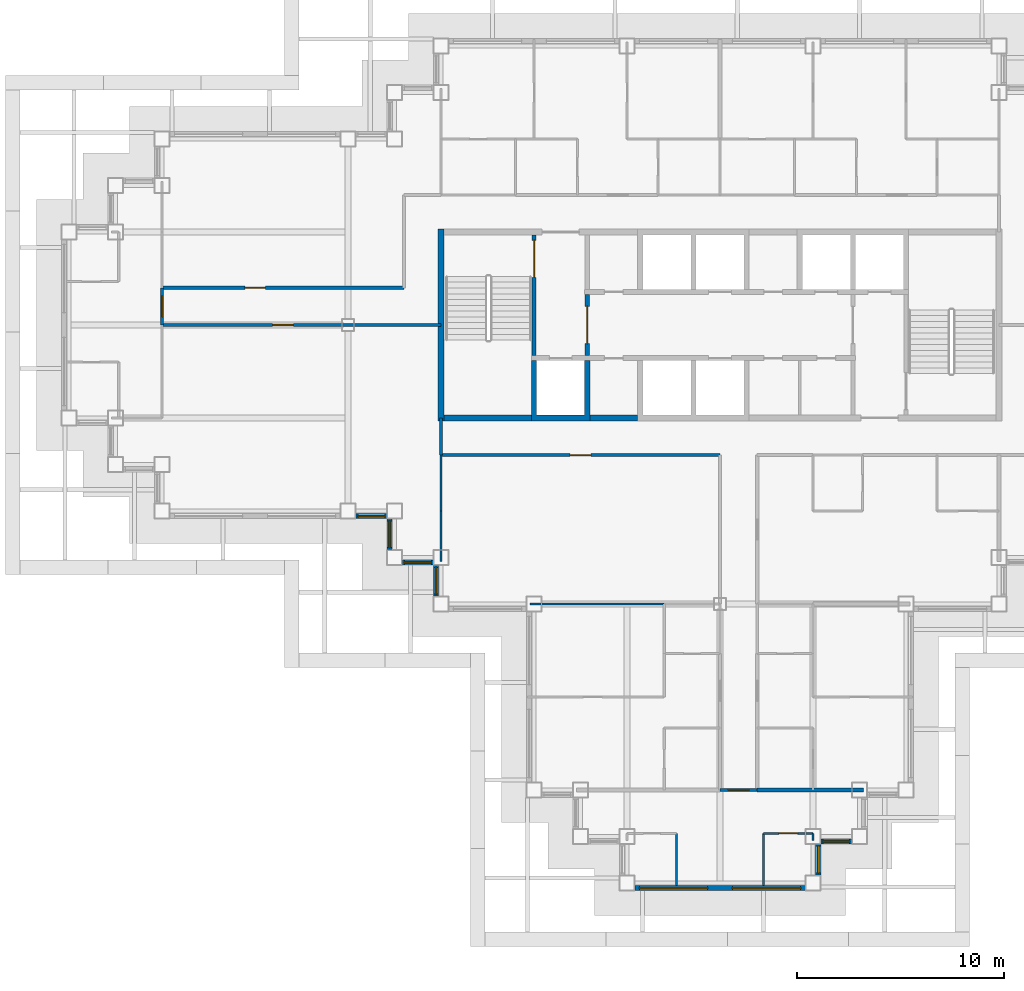
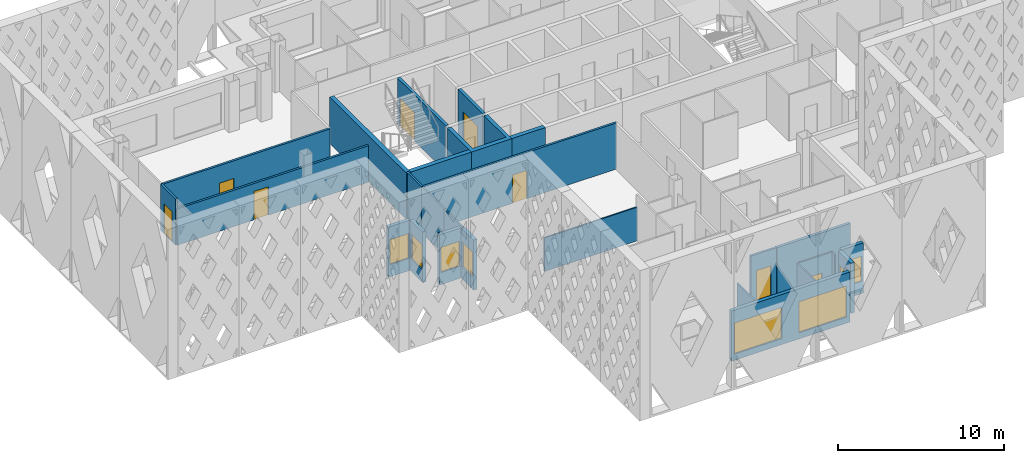
# One storey, part 4 of 18: 27 walls, 8 doors, 8 windows, 16 openings.
"""IFC4 building model written with IfcOpenShell, lengths in metres."""

from ifc_helpers import new_model, si_unit, direction, frame, frame_2d, origin, place, context, subcontext, project, spatial, polyline, rectangle, outline, extrude, material, layer, layer_set, type_object, element, fill, save


model = new_model("IFC4")

# Units and contexts
model_context = context("Model", 3, precision=1e-05, world=origin(), true_north=direction((0.0, 1.0)))
body_context = subcontext(model_context, "Body", "Model", "MODEL_VIEW")
ifc_project = project(units=[si_unit("LENGTHUNIT", "METRE"), si_unit("AREAUNIT", "SQUARE_METRE"), si_unit("VOLUMEUNIT", "CUBIC_METRE"), si_unit("PLANEANGLEUNIT", "RADIAN"), si_unit("MASSUNIT", "GRAM", prefix="KILO")], contexts=[model_context])

# Site, building, storey
site_placement = place(None, origin())
site = spatial("IfcSite", under=ifc_project, at=site_placement, CompositionType="ELEMENT")
building_placement = place(site_placement, origin())
building = spatial("IfcBuilding", under=site, at=building_placement, Name="Caravel Reach Hotel and Residences", CompositionType="ELEMENT")
storey_placement = place(building_placement, frame((0.0, 0.0, 176.5)))
storey = spatial("IfcBuildingStorey", under=building, at=storey_placement, Name="L44", CompositionType="ELEMENT", Elevation=176.5)

# Walls
ifc_material_1 = material(Name="Gypsum board on steel stud", Category="steel")
ifc_layer_1 = layer(ifc_material_1, 0.10009765625)
ifc_layer_set_1 = layer_set([ifc_layer_1], Name="Bathroom pod wall 100 mm")
wall_type_1 = type_object("IfcWallType", Name="Bathroom pod wall 100 mm", PredefinedType="PARTITIONING", material=ifc_layer_set_1)
wall_1_placement = place(storey_placement, frame((29.39990234375, -0.125, 0.0), z_axis=(0.0, 0.0, 1.0), x_axis=(0.0, 1.0, 0.0)))
element("IfcWall", 1, at=wall_1_placement, inside=storey, type_object=wall_type_1, Name="L44 wall w112", PredefinedType="PARTITIONING", context=body_context, shape_type="SweptSolid", body=[
    extrude(rectangle(XDim=2.52490234375, YDim=0.10009765625, at=frame_2d((1.262451171875, 0.0))), origin(), (0.0, 0.0, 1.0), 3.39990234375),
])
ifc_material_2 = material(Name="Concrete C60", Category="concrete")
ifc_layer_2 = layer(ifc_material_2, 0.300048828125)
ifc_layer_set_2 = layer_set([ifc_layer_2], Name="Core wall 300 mm EI 120")
wall_type_2 = type_object("IfcWallType", Name="Core wall 300 mm EI 120", PredefinedType="SHEAR", material=ifc_layer_set_2)
wall_2_placement = place(storey_placement, frame((18.14990234375, 22.5, 0.0), z_axis=(0.0, 0.0, 1.0), x_axis=(1.0, 0.0, 0.0)))
element("IfcWall", 2, at=wall_2_placement, inside=storey, type_object=wall_type_2, Name="L44 core wall S1", PredefinedType="SHEAR", context=body_context, shape_type="SweptSolid", body=[
    extrude(rectangle(XDim=4.22509765625, YDim=0.300048828125, at=frame_2d((2.112548828125, 0.0))), origin(), (0.0, 0.0, 1.0), 3.39990234375),
])
wall_3_placement = place(storey_placement, frame((25.196533203125, 22.5, 0.0), z_axis=(0.0, 0.0, 1.0), x_axis=(1.0, 0.0, 0.0)))
element("IfcWall", 3, at=wall_3_placement, inside=storey, type_object=wall_type_2, Name="L44 core wall S2", PredefinedType="SHEAR", context=body_context, shape_type="SweptSolid", body=[
    extrude(rectangle(XDim=2.3212890625, YDim=0.300048828125, at=frame_2d((1.16064453125, 0.0))), origin(), (0.0, 0.0, 1.0), 3.39990234375),
])
wall_4_placement = place(storey_placement, frame((18.0, 22.35009765625, 0.0), z_axis=(0.0, 0.0, 1.0), x_axis=(0.0, 1.0, 0.0)))
element("IfcWall", 4, at=wall_4_placement, inside=storey, type_object=wall_type_2, Name="L44 core wall W", PredefinedType="SHEAR", context=body_context, shape_type="SweptSolid", body=[
    extrude(rectangle(XDim=9.2998046875, YDim=0.300048828125, at=frame_2d((4.64990234375, 0.0))), origin(), (0.0, 0.0, 1.0), 3.39990234375),
])

# Wall, opening, door
ifc_material_3 = material(Name="Gypsum board on steel stud, fire-rated", Category="steel")
ifc_layer_3 = layer(ifc_material_3, 0.14990234375)
ifc_layer_set_3 = layer_set([ifc_layer_3], Name="Corridor wall 150 mm EI 60")
wall_type_3 = type_object("IfcWallType", Name="Corridor wall 150 mm EI 60", PredefinedType="PARTITIONING", material=ifc_layer_set_3)
wall_5_placement = place(storey_placement, frame((18.0, 20.699951171875, 0.0), z_axis=(0.0, 0.0, 1.0), x_axis=(1.0, 0.0, 0.0)))
wall_5 = element("IfcWall", 5, at=wall_5_placement, inside=storey, type_object=wall_type_3, Name="L44 wall w005", PredefinedType="PARTITIONING", context=body_context, shape_type="SweptSolid", body=[
    extrude(rectangle(XDim=13.5, YDim=0.14990234375, at=frame_2d((6.75, 0.0))), origin(), (0.0, 0.0, 1.0), 3.39990234375),
])
opening_1_placement = place(wall_5_placement, frame((6.25, 0.0, 0.0)))
opening_1 = element("IfcOpeningElement", 6, at=opening_1_placement, cuts=wall_5, Name="Opening D44-036", PredefinedType="OPENING", context=body_context, shape_type="SweptSolid", body=[
    extrude(rectangle(XDim=1.0, YDim=2.10009765625, at=frame_2d((0.5, 1.050048828125))), frame((0.0, 0.0849609375, 0.0), z_axis=(0.0, -1.0, 0.0), x_axis=(1.0, 0.0, 0.0)), (0.0, 0.0, 1.0), 0.169921875),
])
ifc_material_4 = material(Name="Steel fire door leaf", Category="steel")
door_type_1 = type_object("IfcDoorType", Name="Fire door 1000 x 2100 EI 60", OperationType="SINGLE_SWING_LEFT", PredefinedType="DOOR", material=ifc_material_4)
door_1_placement = place(opening_1_placement, origin())
door_1 = element("IfcDoor", 7, at=door_1_placement, inside=storey, type_object=door_type_1, Name="door D44-036", OperationType="SINGLE_SWING_LEFT", OverallHeight=2.10009765625, OverallWidth=1.0, PredefinedType="DOOR", context=body_context, shape_type="SweptSolid", body=[
    extrude(rectangle(XDim=1.0, YDim=2.10009765625, at=frame_2d((0.5, 1.050048828125))), frame((0.0, 0.02490234375, 0.0), z_axis=(0.0, -1.0, 0.0), x_axis=(1.0, 0.0, 0.0)), (0.0, 0.0, 1.0), 0.050048828125),
])
fill(opening_1, door_1)

wall_6_placement = place(storey_placement, frame((4.5, 27.0, 0.0), z_axis=(0.0, 0.0, 1.0), x_axis=(1.0, 0.0, 0.0)))
wall_6 = element("IfcWall", 8, at=wall_6_placement, inside=storey, type_object=wall_type_3, Name="L44 wall w009", PredefinedType="PARTITIONING", context=body_context, shape_type="SweptSolid", body=[
    extrude(rectangle(XDim=13.5, YDim=0.14990234375, at=frame_2d((6.75, 0.0))), origin(), (0.0, 0.0, 1.0), 2.679931640625),
])
opening_2_placement = place(wall_6_placement, frame((5.35009765625, 0.0, 0.0)))
opening_2 = element("IfcOpeningElement", 9, at=opening_2_placement, cuts=wall_6, Name="Opening D44-030", PredefinedType="OPENING", context=body_context, shape_type="SweptSolid", body=[
    extrude(rectangle(XDim=1.0, YDim=2.10009765625, at=frame_2d((0.5, 1.050048828125))), frame((0.0, 0.0849609375, 0.0), z_axis=(0.0, -1.0, 0.0), x_axis=(1.0, 0.0, 0.0)), (0.0, 0.0, 1.0), 0.169921875),
])
door_2_placement = place(opening_2_placement, origin())
door_2 = element("IfcDoor", 10, at=door_2_placement, inside=storey, type_object=door_type_1, Name="door D44-030", OperationType="SINGLE_SWING_LEFT", OverallHeight=2.10009765625, OverallWidth=1.0, PredefinedType="DOOR", context=body_context, shape_type="SweptSolid", body=[
    extrude(rectangle(XDim=1.0, YDim=2.10009765625, at=frame_2d((0.5, 1.050048828125))), frame((0.0, 0.02490234375, 0.0), z_axis=(0.0, -1.0, 0.0), x_axis=(1.0, 0.0, 0.0)), (0.0, 0.0, 1.0), 0.050048828125),
])
fill(opening_2, door_2)

wall_7_placement = place(storey_placement, frame((4.5, 28.800048828125, 0.0), z_axis=(0.0, 0.0, 1.0), x_axis=(1.0, 0.0, 0.0)))
wall_7 = element("IfcWall", 11, at=wall_7_placement, inside=storey, type_object=wall_type_3, Name="L44 wall w011", PredefinedType="PARTITIONING", context=body_context, shape_type="SweptSolid", body=[
    extrude(rectangle(XDim=11.698974609375, YDim=0.14990234375, at=frame_2d((5.849609375, 0.0))), origin(), (0.0, 0.0, 1.0), 3.39990234375),
])
opening_3_placement = place(wall_7_placement, frame((4.0, 0.0, 0.0)))
opening_3 = element("IfcOpeningElement", 12, at=opening_3_placement, cuts=wall_7, Name="Opening D44-029", PredefinedType="OPENING", context=body_context, shape_type="SweptSolid", body=[
    extrude(rectangle(XDim=1.0, YDim=2.10009765625, at=frame_2d((0.5, 1.050048828125))), frame((0.0, 0.0849609375, 0.0), z_axis=(0.0, -1.0, 0.0), x_axis=(1.0, 0.0, 0.0)), (0.0, 0.0, 1.0), 0.169921875),
])
door_3_placement = place(opening_3_placement, origin())
door_3 = element("IfcDoor", 13, at=door_3_placement, inside=storey, type_object=door_type_1, Name="door D44-029", OperationType="SINGLE_SWING_RIGHT", OverallHeight=2.10009765625, OverallWidth=1.0, PredefinedType="DOOR", context=body_context, shape_type="SweptSolid", body=[
    extrude(rectangle(XDim=1.0, YDim=2.10009765625, at=frame_2d((0.5, 1.050048828125))), frame((0.0, 0.02490234375, 0.0), z_axis=(0.0, -1.0, 0.0), x_axis=(1.0, 0.0, 0.0)), (0.0, 0.0, 1.0), 0.050048828125),
])
fill(opening_3, door_3)

wall_8_placement = place(storey_placement, frame((31.5, 4.5, 0.0), z_axis=(0.0, 0.0, 1.0), x_axis=(1.0, 0.0, 0.0)))
wall_8 = element("IfcWall", 14, at=wall_8_placement, inside=storey, type_object=wall_type_3, Name="L44 wall w018", PredefinedType="PARTITIONING", context=body_context, shape_type="SweptSolid", body=[
    extrude(rectangle(XDim=1.800048828125, YDim=0.14990234375, at=frame_2d((0.89990234375, 0.0))), origin(), (0.0, 0.0, 1.0), 3.39990234375),
])
opening_4_placement = place(wall_8_placement, frame((0.39990234375, 0.0, 0.0)))
opening_4 = element("IfcOpeningElement", 15, at=opening_4_placement, cuts=wall_8, Name="Opening D44-054", PredefinedType="OPENING", context=body_context, shape_type="SweptSolid", body=[
    extrude(rectangle(XDim=1.0, YDim=2.199951171875, at=frame_2d((0.5, 1.10009765625))), frame((0.0, 0.0849609375, 0.0), z_axis=(0.0, -1.0, 0.0), x_axis=(1.0, 0.0, 0.0)), (0.0, 0.0, 1.0), 0.169921875),
])
ifc_material_5 = material(Name="Steel fire door leaf", Category="steel")
door_type_2 = type_object("IfcDoorType", Name="Flat entrance door 1000 x 2200 EI 60", OperationType="SINGLE_SWING_LEFT", PredefinedType="DOOR", material=ifc_material_5)
door_4_placement = place(opening_4_placement, origin())
door_4 = element("IfcDoor", 16, at=door_4_placement, inside=storey, type_object=door_type_2, Name="door D44-054", OperationType="SINGLE_SWING_RIGHT", OverallHeight=2.199951171875, OverallWidth=1.0, PredefinedType="DOOR", context=body_context, shape_type="SweptSolid", body=[
    extrude(rectangle(XDim=1.0, YDim=2.199951171875, at=frame_2d((0.5, 1.10009765625))), frame((0.0, 0.02490234375, 0.0), z_axis=(0.0, -1.0, 0.0), x_axis=(1.0, 0.0, 0.0)), (0.0, 0.0, 1.0), 0.050048828125),
])
fill(opening_4, door_4)

# Wall
wall_9_placement = place(storey_placement, frame((18.0, 20.699951171875, 0.0), z_axis=(0.0, 0.0, 1.0), x_axis=(0.0, 1.0, 0.0)))
element("IfcWall", 17, at=wall_9_placement, inside=storey, type_object=wall_type_3, Name="L44 wall w020", PredefinedType="PARTITIONING", context=body_context, shape_type="SweptSolid", body=[
    extrude(rectangle(XDim=1.800048828125, YDim=0.14990234375, at=frame_2d((0.89990234375, 0.0))), origin(), (0.0, 0.0, 1.0), 3.39990234375),
])

# Wall, opening, door
wall_10_placement = place(storey_placement, frame((4.5, 27.0, 0.0), z_axis=(0.0, 0.0, 1.0), x_axis=(0.0, 1.0, 0.0)))
wall_10 = element("IfcWall", 18, at=wall_10_placement, inside=storey, type_object=wall_type_3, Name="L44 wall w027", PredefinedType="PARTITIONING", context=body_context, shape_type="SweptSolid", body=[
    extrude(rectangle(XDim=1.800048828125, YDim=0.14990234375, at=frame_2d((0.89990234375, 0.0))), origin(), (0.0, 0.0, 1.0), 3.39990234375),
])
opening_5_placement = place(wall_10_placement, frame((0.39990234375, 0.0, 0.0)))
opening_5 = element("IfcOpeningElement", 19, at=opening_5_placement, cuts=wall_10, Name="Opening D44-048", PredefinedType="OPENING", context=body_context, shape_type="SweptSolid", body=[
    extrude(rectangle(XDim=1.0, YDim=2.199951171875, at=frame_2d((0.5, 1.10009765625))), frame((0.0, 0.0849609375, 0.0), z_axis=(0.0, -1.0, 0.0), x_axis=(1.0, 0.0, 0.0)), (0.0, 0.0, 1.0), 0.169921875),
])
door_5_placement = place(opening_5_placement, origin())
door_5 = element("IfcDoor", 20, at=door_5_placement, inside=storey, type_object=door_type_2, Name="door D44-048", OperationType="SINGLE_SWING_LEFT", OverallHeight=2.199951171875, OverallWidth=1.0, PredefinedType="DOOR", context=body_context, shape_type="SweptSolid", body=[
    extrude(rectangle(XDim=1.0, YDim=2.199951171875, at=frame_2d((0.5, 1.10009765625))), frame((0.0, 0.02490234375, 0.0), z_axis=(0.0, -1.0, 0.0), x_axis=(1.0, 0.0, 0.0)), (0.0, 0.0, 1.0), 0.050048828125),
])
fill(opening_5, door_5)

# Wall, openings, windows
ifc_material_6 = material(Name="Insulated rainscreen wall, aluminium cladding", Category="aluminium")
ifc_layer_4 = layer(ifc_material_6, 0.25)
ifc_layer_set_4 = layer_set([ifc_layer_4], Name="EW1 Tower rainscreen wall")
wall_type_4 = type_object("IfcWallType", Name="EW1 Tower rainscreen wall", PredefinedType="SOLIDWALL", material=ifc_layer_set_4)
wall_11_placement = place(storey_placement, frame((27.375, -0.25, 0.0), z_axis=(0.0, 0.0, 1.0), x_axis=(1.0, 0.0, 0.0)))
wall_11 = element("IfcWall", 21, at=wall_11_placement, inside=storey, type_object=wall_type_4, Name="External wall L44 S5.1", PredefinedType="SOLIDWALL", context=body_context, shape_type="SweptSolid", body=[
    extrude(rectangle(XDim=8.25, YDim=0.25, at=frame_2d((4.125, 0.0))), origin(), (0.0, 0.0, 1.0), 3.699951171875),
])
opening_6_placement = place(wall_11_placement, frame((0.22509765625, 0.0, 0.449951171875)))
opening_6 = element("IfcOpeningElement", 22, at=opening_6_placement, cuts=wall_11, Name="Opening WN15", PredefinedType="OPENING", context=body_context, shape_type="SweptSolid", body=[
    extrude(rectangle(XDim=3.300048828125, YDim=2.300048828125, at=frame_2d((1.64990234375, 1.14990234375))), frame((0.0, 0.135009765625, 0.0), z_axis=(0.0, -1.0, 0.0), x_axis=(1.0, 0.0, 0.0)), (0.0, 0.0, 1.0), 0.27001953125),
])
opening_7_placement = place(wall_11_placement, frame((4.72509765625, 0.0, 0.449951171875)))
opening_7 = element("IfcOpeningElement", 23, at=opening_7_placement, cuts=wall_11, Name="Opening WN15", PredefinedType="OPENING", context=body_context, shape_type="SweptSolid", body=[
    extrude(rectangle(XDim=3.300048828125, YDim=2.300048828125, at=frame_2d((1.64990234375, 1.14990234375))), frame((0.0, 0.135009765625, 0.0), z_axis=(0.0, -1.0, 0.0), x_axis=(1.0, 0.0, 0.0)), (0.0, 0.0, 1.0), 0.27001953125),
])
ifc_material_7 = material(Name="Dark low-e glazing in black aluminium frame", Category="aluminium")
window_type_1 = type_object("IfcWindowType", Name="Residence living window 3300 x 2300", PartitioningType="SINGLE_PANEL", PredefinedType="WINDOW", material=ifc_material_7)
window_1_placement = place(opening_6_placement, origin())
window_1 = element("IfcWindow", 24, at=window_1_placement, inside=storey, type_object=window_type_1, Name="Window L44 S5.1.1", OverallHeight=2.300048828125, OverallWidth=3.300048828125, PartitioningType="SINGLE_PANEL", PredefinedType="WINDOW", context=body_context, shape_type="SweptSolid", body=[
    extrude(rectangle(XDim=3.300048828125, YDim=2.300048828125, at=frame_2d((1.64990234375, 1.14990234375))), frame((0.0, 0.030029296875, 0.0), z_axis=(0.0, -1.0, 0.0), x_axis=(1.0, 0.0, 0.0)), (0.0, 0.0, 1.0), 0.06005859375),
])
fill(opening_6, window_1)
window_2_placement = place(opening_7_placement, origin())
window_2 = element("IfcWindow", 25, at=window_2_placement, inside=storey, type_object=window_type_1, Name="Window L44 S5.1.2", OverallHeight=2.300048828125, OverallWidth=3.300048828125, PartitioningType="SINGLE_PANEL", PredefinedType="WINDOW", context=body_context, shape_type="SweptSolid", body=[
    extrude(rectangle(XDim=3.300048828125, YDim=2.300048828125, at=frame_2d((1.64990234375, 1.14990234375))), frame((0.0, 0.030029296875, 0.0), z_axis=(0.0, -1.0, 0.0), x_axis=(1.0, 0.0, 0.0)), (0.0, 0.0, 1.0), 0.06005859375),
])
fill(opening_7, window_2)

# Wall, opening, window
wall_12_placement = place(storey_placement, frame((36.25, 0.375, 0.0), z_axis=(0.0, 0.0, 1.0), x_axis=(0.0, 1.0, 0.0)))
wall_12 = element("IfcWall", 26, at=wall_12_placement, inside=storey, type_object=wall_type_4, Name="External wall L44 E6.1", PredefinedType="SOLIDWALL", context=body_context, shape_type="SweptSolid", body=[
    extrude(rectangle(XDim=1.5, YDim=0.25, at=frame_2d((0.75, 0.0))), origin(), (0.0, 0.0, 1.0), 3.699951171875),
])
opening_8_placement = place(wall_12_placement, frame((0.10009765625, 0.0, 0.89990234375)))
opening_8 = element("IfcOpeningElement", 27, at=opening_8_placement, cuts=wall_12, Name="Opening WN16", PredefinedType="OPENING", context=body_context, shape_type="SweptSolid", body=[
    extrude(rectangle(XDim=1.300048828125, YDim=1.85009765625, at=frame_2d((0.64990234375, 0.925048828125))), frame((0.0, 0.135009765625, 0.0), z_axis=(0.0, -1.0, 0.0), x_axis=(1.0, 0.0, 0.0)), (0.0, 0.0, 1.0), 0.27001953125),
])
ifc_material_8 = material(Name="Dark low-e glazing in black aluminium frame", Category="aluminium")
window_type_2 = type_object("IfcWindowType", Name="Residence bedroom window 1300 x 1850", PartitioningType="SINGLE_PANEL", PredefinedType="WINDOW", material=ifc_material_8)
window_3_placement = place(opening_8_placement, origin())
window_3 = element("IfcWindow", 28, at=window_3_placement, inside=storey, type_object=window_type_2, Name="Window L44 E6.1.1", OverallHeight=1.85009765625, OverallWidth=1.300048828125, PartitioningType="SINGLE_PANEL", PredefinedType="WINDOW", context=body_context, shape_type="SweptSolid", body=[
    extrude(rectangle(XDim=1.300048828125, YDim=1.85009765625, at=frame_2d((0.64990234375, 0.925048828125))), frame((0.0, 0.030029296875, 0.0), z_axis=(0.0, -1.0, 0.0), x_axis=(1.0, 0.0, 0.0)), (0.0, 0.0, 1.0), 0.06005859375),
])
fill(opening_8, window_3)

wall_13_placement = place(storey_placement, frame((36.375, 2.0, 0.0), z_axis=(0.0, 0.0, 1.0), x_axis=(1.0, 0.0, 0.0)))
wall_13 = element("IfcWall", 29, at=wall_13_placement, inside=storey, type_object=wall_type_4, Name="External wall L44 S7.1", PredefinedType="SOLIDWALL", context=body_context, shape_type="SweptSolid", body=[
    extrude(rectangle(XDim=1.5, YDim=0.25, at=frame_2d((0.75, 0.0))), origin(), (0.0, 0.0, 1.0), 3.699951171875),
])
opening_9_placement = place(wall_13_placement, frame((0.10009765625, 0.0, 0.89990234375)))
opening_9 = element("IfcOpeningElement", 30, at=opening_9_placement, cuts=wall_13, Name="Opening WN16", PredefinedType="OPENING", context=body_context, shape_type="SweptSolid", body=[
    extrude(rectangle(XDim=1.300048828125, YDim=1.85009765625, at=frame_2d((0.64990234375, 0.925048828125))), frame((0.0, 0.135009765625, 0.0), z_axis=(0.0, -1.0, 0.0), x_axis=(1.0, 0.0, 0.0)), (0.0, 0.0, 1.0), 0.27001953125),
])
window_4_placement = place(opening_9_placement, origin())
window_4 = element("IfcWindow", 31, at=window_4_placement, inside=storey, type_object=window_type_2, Name="Window L44 S7.1.1", OverallHeight=1.85009765625, OverallWidth=1.300048828125, PartitioningType="SINGLE_PANEL", PredefinedType="WINDOW", context=body_context, shape_type="SweptSolid", body=[
    extrude(rectangle(XDim=1.300048828125, YDim=1.85009765625, at=frame_2d((0.64990234375, 0.925048828125))), frame((0.0, 0.030029296875, 0.0), z_axis=(0.0, -1.0, 0.0), x_axis=(1.0, 0.0, 0.0)), (0.0, 0.0, 1.0), 0.06005859375),
])
fill(opening_9, window_4)

wall_14_placement = place(storey_placement, frame((13.875, 17.75, 0.0), z_axis=(0.0, 0.0, 1.0), x_axis=(1.0, 0.0, 0.0)))
wall_14 = element("IfcWall", 32, at=wall_14_placement, inside=storey, type_object=wall_type_4, Name="External wall L44 S43.2", PredefinedType="SOLIDWALL", context=body_context, shape_type="SweptSolid", body=[
    extrude(rectangle(XDim=1.5, YDim=0.25, at=frame_2d((0.75, 0.0))), origin(), (0.0, 0.0, 1.0), 3.699951171875),
])
opening_10_placement = place(wall_14_placement, frame((0.10009765625, 0.0, 0.89990234375)))
opening_10 = element("IfcOpeningElement", 33, at=opening_10_placement, cuts=wall_14, Name="Opening WN16", PredefinedType="OPENING", context=body_context, shape_type="SweptSolid", body=[
    extrude(rectangle(XDim=1.300048828125, YDim=1.85009765625, at=frame_2d((0.64990234375, 0.925048828125))), frame((0.0, 0.135009765625, 0.0), z_axis=(0.0, -1.0, 0.0), x_axis=(1.0, 0.0, 0.0)), (0.0, 0.0, 1.0), 0.27001953125),
])
window_5_placement = place(opening_10_placement, origin())
window_5 = element("IfcWindow", 34, at=window_5_placement, inside=storey, type_object=window_type_2, Name="Window L44 S43.2.1", OverallHeight=1.85009765625, OverallWidth=1.300048828125, PartitioningType="SINGLE_PANEL", PredefinedType="WINDOW", context=body_context, shape_type="SweptSolid", body=[
    extrude(rectangle(XDim=1.300048828125, YDim=1.85009765625, at=frame_2d((0.64990234375, 0.925048828125))), frame((0.0, 0.030029296875, 0.0), z_axis=(0.0, -1.0, 0.0), x_axis=(1.0, 0.0, 0.0)), (0.0, 0.0, 1.0), 0.06005859375),
])
fill(opening_10, window_5)

wall_15_placement = place(storey_placement, frame((15.5, 17.625, 0.0), z_axis=(0.0, 0.0, 1.0), x_axis=(0.0, -1.0, 0.0)))
wall_15 = element("IfcWall", 35, at=wall_15_placement, inside=storey, type_object=wall_type_4, Name="External wall L44 W44.1", PredefinedType="SOLIDWALL", context=body_context, shape_type="SweptSolid", body=[
    extrude(rectangle(XDim=1.5, YDim=0.25, at=frame_2d((0.75, 0.0))), origin(), (0.0, 0.0, 1.0), 3.699951171875),
])
opening_11_placement = place(wall_15_placement, frame((0.10009765625, 0.0, 0.89990234375)))
opening_11 = element("IfcOpeningElement", 36, at=opening_11_placement, cuts=wall_15, Name="Opening WN16", PredefinedType="OPENING", context=body_context, shape_type="SweptSolid", body=[
    extrude(rectangle(XDim=1.300048828125, YDim=1.85009765625, at=frame_2d((0.64990234375, 0.925048828125))), frame((0.0, 0.135009765625, 0.0), z_axis=(0.0, -1.0, 0.0), x_axis=(1.0, 0.0, 0.0)), (0.0, 0.0, 1.0), 0.27001953125),
])
window_6_placement = place(opening_11_placement, origin())
window_6 = element("IfcWindow", 37, at=window_6_placement, inside=storey, type_object=window_type_2, Name="Window L44 W44.1.1", OverallHeight=1.85009765625, OverallWidth=1.300048828125, PartitioningType="SINGLE_PANEL", PredefinedType="WINDOW", context=body_context, shape_type="SweptSolid", body=[
    extrude(rectangle(XDim=1.300048828125, YDim=1.85009765625, at=frame_2d((0.64990234375, 0.925048828125))), frame((0.0, 0.030029296875, 0.0), z_axis=(0.0, -1.0, 0.0), x_axis=(1.0, 0.0, 0.0)), (0.0, 0.0, 1.0), 0.06005859375),
])
fill(opening_11, window_6)

wall_16_placement = place(storey_placement, frame((16.125, 15.5, 0.0), z_axis=(0.0, 0.0, 1.0), x_axis=(1.0, 0.0, 0.0)))
wall_16 = element("IfcWall", 38, at=wall_16_placement, inside=storey, type_object=wall_type_4, Name="External wall L44 S45.1", PredefinedType="SOLIDWALL", context=body_context, shape_type="SweptSolid", body=[
    extrude(rectangle(XDim=1.5, YDim=0.25, at=frame_2d((0.75, 0.0))), origin(), (0.0, 0.0, 1.0), 3.699951171875),
])
opening_12_placement = place(wall_16_placement, frame((0.10009765625, 0.0, 0.89990234375)))
opening_12 = element("IfcOpeningElement", 39, at=opening_12_placement, cuts=wall_16, Name="Opening WN16", PredefinedType="OPENING", context=body_context, shape_type="SweptSolid", body=[
    extrude(rectangle(XDim=1.300048828125, YDim=1.85009765625, at=frame_2d((0.64990234375, 0.925048828125))), frame((0.0, 0.135009765625, 0.0), z_axis=(0.0, -1.0, 0.0), x_axis=(1.0, 0.0, 0.0)), (0.0, 0.0, 1.0), 0.27001953125),
])
window_7_placement = place(opening_12_placement, origin())
window_7 = element("IfcWindow", 40, at=window_7_placement, inside=storey, type_object=window_type_2, Name="Window L44 S45.1.1", OverallHeight=1.85009765625, OverallWidth=1.300048828125, PartitioningType="SINGLE_PANEL", PredefinedType="WINDOW", context=body_context, shape_type="SweptSolid", body=[
    extrude(rectangle(XDim=1.300048828125, YDim=1.85009765625, at=frame_2d((0.64990234375, 0.925048828125))), frame((0.0, 0.030029296875, 0.0), z_axis=(0.0, -1.0, 0.0), x_axis=(1.0, 0.0, 0.0)), (0.0, 0.0, 1.0), 0.06005859375),
])
fill(opening_12, window_7)

wall_17_placement = place(storey_placement, frame((17.75, 15.375, 0.0), z_axis=(0.0, 0.0, 1.0), x_axis=(0.0, -1.0, 0.0)))
wall_17 = element("IfcWall", 41, at=wall_17_placement, inside=storey, type_object=wall_type_4, Name="External wall L44 W46.1", PredefinedType="SOLIDWALL", context=body_context, shape_type="SweptSolid", body=[
    extrude(rectangle(XDim=1.5, YDim=0.25, at=frame_2d((0.75, 0.0))), origin(), (0.0, 0.0, 1.0), 3.699951171875),
])
opening_13_placement = place(wall_17_placement, frame((0.10009765625, 0.0, 0.89990234375)))
opening_13 = element("IfcOpeningElement", 42, at=opening_13_placement, cuts=wall_17, Name="Opening WN16", PredefinedType="OPENING", context=body_context, shape_type="SweptSolid", body=[
    extrude(rectangle(XDim=1.300048828125, YDim=1.85009765625, at=frame_2d((0.64990234375, 0.925048828125))), frame((0.0, 0.135009765625, 0.0), z_axis=(0.0, -1.0, 0.0), x_axis=(1.0, 0.0, 0.0)), (0.0, 0.0, 1.0), 0.27001953125),
])
window_8_placement = place(opening_13_placement, origin())
window_8 = element("IfcWindow", 43, at=window_8_placement, inside=storey, type_object=window_type_2, Name="Window L44 W46.1.1", OverallHeight=1.85009765625, OverallWidth=1.300048828125, PartitioningType="SINGLE_PANEL", PredefinedType="WINDOW", context=body_context, shape_type="SweptSolid", body=[
    extrude(rectangle(XDim=1.300048828125, YDim=1.85009765625, at=frame_2d((0.64990234375, 0.925048828125))), frame((0.0, 0.030029296875, 0.0), z_axis=(0.0, -1.0, 0.0), x_axis=(1.0, 0.0, 0.0)), (0.0, 0.0, 1.0), 0.06005859375),
])
fill(opening_13, window_8)

# Wall, opening, door
ifc_material_9 = material(Name="Autoclaved aerated block wall")
ifc_layer_5 = layer(ifc_material_9, 0.199951171875)
ifc_layer_set_5 = layer_set([ifc_layer_5], Name="Fire lobby wall 200 mm EI 120")
wall_type_5 = type_object("IfcWallType", Name="Fire lobby wall 200 mm EI 120", PredefinedType="PARTITIONING", material=ifc_layer_set_5)
wall_18_placement = place(storey_placement, frame((25.071533203125, 25.52490234375, 0.0), z_axis=(0.0, 0.0, 1.0), x_axis=(0.0, 1.0, 0.0)))
wall_18 = element("IfcWall", 44, at=wall_18_placement, inside=storey, type_object=wall_type_5, Name="L44 lobby W wall", PredefinedType="PARTITIONING", context=body_context, shape_type="SweptSolid", body=[
    extrude(rectangle(XDim=2.9501953125, YDim=0.199951171875, at=frame_2d((1.47509765625, 0.0))), origin(), (0.0, 0.0, 1.0), 3.39990234375),
])
opening_14_placement = place(wall_18_placement, frame((0.574951171875, 0.0, 0.0)))
opening_14 = element("IfcOpeningElement", 45, at=opening_14_placement, cuts=wall_18, Name="Opening D44-013", PredefinedType="OPENING", context=body_context, shape_type="SweptSolid", body=[
    extrude(rectangle(XDim=1.800048828125, YDim=2.10009765625, at=frame_2d((0.89990234375, 1.050048828125))), frame((0.0, 0.10986328125, 0.0), z_axis=(0.0, -1.0, 0.0), x_axis=(1.0, 0.0, 0.0)), (0.0, 0.0, 1.0), 0.219970703125),
])
ifc_material_10 = material(Name="Steel fire door leaf", Category="steel")
door_type_3 = type_object("IfcDoorType", Name="Fire lobby door pair 1800 x 2100 EI 90", OperationType="DOUBLE_DOOR_SINGLE_SWING", PredefinedType="DOOR", material=ifc_material_10)
door_6_placement = place(opening_14_placement, origin())
door_6 = element("IfcDoor", 46, at=door_6_placement, inside=storey, type_object=door_type_3, Name="lobby W door pair", OperationType="DOUBLE_DOOR_SINGLE_SWING", OverallHeight=2.10009765625, OverallWidth=1.800048828125, PredefinedType="DOOR", context=body_context, shape_type="SweptSolid", body=[
    extrude(rectangle(XDim=1.800048828125, YDim=2.10009765625, at=frame_2d((0.89990234375, 1.050048828125))), frame((0.0, 0.02490234375, 0.0), z_axis=(0.0, -1.0, 0.0), x_axis=(1.0, 0.0, 0.0)), (0.0, 0.0, 1.0), 0.050048828125),
])
fill(opening_14, door_6)

# Wall
ifc_material_11 = material(Name="Gypsum board on steel stud", Category="steel")
ifc_layer_6 = layer(ifc_material_11, 0.10009765625)
ifc_layer_set_6 = layer_set([ifc_layer_6], Name="Partition 100 mm")
wall_type_6 = type_object("IfcWallType", Name="Partition 100 mm", PredefinedType="PARTITIONING", material=ifc_layer_set_6)
wall_19_placement = place(storey_placement, frame((22.31005859375, 13.5, 0.0), z_axis=(0.0, 0.0, 1.0), x_axis=(1.0, 0.0, 0.0)))
element("IfcWall", 47, at=wall_19_placement, inside=storey, type_object=wall_type_6, Name="L44 wall w031", PredefinedType="PARTITIONING", context=body_context, shape_type="SweptSolid", body=[
    extrude(rectangle(XDim=6.489990234375, YDim=0.10009765625, at=frame_2d((3.2451171875, 0.0))), origin(), (0.0, 0.0, 1.0), 2.47998046875),
])

# Wall, opening, door
wall_20_placement = place(storey_placement, frame((33.60009765625, 2.39990234375, 0.0), z_axis=(0.0, 0.0, 1.0), x_axis=(1.0, 0.0, 0.0)))
wall_20 = element("IfcWall", 48, at=wall_20_placement, inside=storey, type_object=wall_type_6, Name="L44 wall w033", PredefinedType="PARTITIONING", context=body_context, shape_type="SweptSolid", body=[
    extrude(rectangle(XDim=2.39990234375, YDim=0.10009765625, at=frame_2d((1.199951171875, 0.0))), origin(), (0.0, 0.0, 1.0), 3.39990234375),
])
opening_15_placement = place(wall_20_placement, frame((0.75, 0.0, 0.0)))
opening_15 = element("IfcOpeningElement", 49, at=opening_15_placement, cuts=wall_20, Name="Opening D44-056", PredefinedType="OPENING", context=body_context, shape_type="SweptSolid", body=[
    extrude(rectangle(XDim=0.89990234375, YDim=2.10009765625, at=frame_2d((0.449951171875, 1.050048828125))), frame((0.0, 0.06005859375, 0.0), z_axis=(0.0, -1.0, 0.0), x_axis=(1.0, 0.0, 0.0)), (0.0, 0.0, 1.0), 0.1201171875),
])
ifc_material_12 = material(Name="Timber and steel door leaf", Category="steel")
door_type_4 = type_object("IfcDoorType", Name="Door 900 x 2100 timber", OperationType="SINGLE_SWING_LEFT", PredefinedType="DOOR", material=ifc_material_12)
door_7_placement = place(opening_15_placement, origin())
door_7 = element("IfcDoor", 50, at=door_7_placement, inside=storey, type_object=door_type_4, Name="door D44-056", OperationType="SINGLE_SWING_RIGHT", OverallHeight=2.10009765625, OverallWidth=0.89990234375, PredefinedType="DOOR", context=body_context, shape_type="SweptSolid", body=[
    extrude(rectangle(XDim=0.89990234375, YDim=2.10009765625, at=frame_2d((0.449951171875, 1.050048828125))), frame((0.0, 0.02490234375, 0.0), z_axis=(0.0, -1.0, 0.0), x_axis=(1.0, 0.0, 0.0)), (0.0, 0.0, 1.0), 0.050048828125),
])
fill(opening_15, door_7)

# Walls
wall_21_placement = place(storey_placement, frame((18.0, 15.56005859375, 0.0), z_axis=(0.0, 0.0, 1.0), x_axis=(0.0, 1.0, 0.0)))
element("IfcWall", 51, at=wall_21_placement, inside=storey, type_object=wall_type_6, Name="L44 wall w053", PredefinedType="PARTITIONING", context=body_context, shape_type="SweptSolid", body=[
    extrude(rectangle(XDim=2.43896484375, YDim=0.10009765625, at=frame_2d((1.219482421875, 0.0))), origin(), (0.0, 0.0, 1.0), 3.39990234375),
])
wall_22_placement = place(storey_placement, frame((18.0, 18.0, 0.0), z_axis=(0.0, 0.0, 1.0), x_axis=(0.0, 1.0, 0.0)))
element("IfcWall", 52, at=wall_22_placement, inside=storey, type_object=wall_type_6, Name="L44 wall w054", PredefinedType="PARTITIONING", context=body_context, shape_type="SweptSolid", body=[
    extrude(rectangle(XDim=2.699951171875, YDim=0.10009765625, at=frame_2d((1.35009765625, 0.0))), origin(), (0.0, 0.0, 1.0), 3.39990234375),
])
wall_23_placement = place(storey_placement, frame((33.60009765625, -0.125, 0.0), z_axis=(0.0, 0.0, 1.0), x_axis=(0.0, 1.0, 0.0)))
element("IfcWall", 53, at=wall_23_placement, inside=storey, type_object=wall_type_6, Name="L44 wall w061", PredefinedType="PARTITIONING", context=body_context, shape_type="SweptSolid", body=[
    extrude(rectangle(XDim=2.52490234375, YDim=0.10009765625, at=frame_2d((1.262451171875, 0.0))), origin(), (0.0, 0.0, 1.0), 3.39990234375),
])
wall_24_placement = place(storey_placement, frame((36.0, 2.06005859375, 0.0), z_axis=(0.0, 0.0, 1.0), x_axis=(0.0, 1.0, 0.0)))
element("IfcWall", 54, at=wall_24_placement, inside=storey, type_object=wall_type_6, Name="L44 wall w065", PredefinedType="PARTITIONING", context=body_context, shape_type="SweptSolid", body=[
    extrude(rectangle(XDim=0.33984375, YDim=0.10009765625, at=frame_2d((0.169921875, 0.0))), origin(), (0.0, 0.0, 1.0), 3.39990234375),
])
ifc_material_13 = material(Name="Autoclaved aerated block wall")
ifc_layer_7 = layer(ifc_material_13, 0.199951171875)
ifc_layer_set_7 = layer_set([ifc_layer_7], Name="Party wall 200 mm EI 60")
wall_type_7 = type_object("IfcWallType", Name="Party wall 200 mm EI 60", PredefinedType="PARTITIONING", material=ifc_layer_set_7)
wall_25_placement = place(storey_placement, frame((33.300048828125, 4.5, 0.0), z_axis=(0.0, 0.0, 1.0), x_axis=(1.0, 0.0, 0.0)))
element("IfcWall", 55, at=wall_25_placement, inside=storey, type_object=wall_type_7, Name="L44 wall w080", PredefinedType="PARTITIONING", context=body_context, shape_type="SweptSolid", body=[
    extrude(rectangle(XDim=5.139892578125, YDim=0.199951171875, at=frame_2d((2.56982421875, 0.0))), origin(), (0.0, 0.0, 1.0), 3.39990234375),
])
ifc_material_14 = material(Name="Concrete C60", Category="concrete")
ifc_layer_8 = layer(ifc_material_14, 0.25)
ifc_layer_set_8 = layer_set([ifc_layer_8], Name="Shaft wall 250 mm EI 120")
wall_type_8 = type_object("IfcWallType", Name="Shaft wall 250 mm EI 120", PredefinedType="SHEAR", material=ifc_layer_set_8)
wall_26_placement = place(storey_placement, origin())
element("IfcWall", 56, at=wall_26_placement, inside=storey, type_object=wall_type_8, Name="L44 lift shaft wall S1", PredefinedType="SHEAR", context=body_context, shape_type="SweptSolid", body=[
    extrude(outline(polyline([(22.375, 22.35009765625), (25.196533203125, 22.35009765625), (25.196533203125, 25.27490234375), (24.946533203125, 25.27490234375), (24.946533203125, 22.64990234375), (22.625, 22.64990234375), (22.625, 25.27490234375), (22.375, 25.27490234375), (22.375, 22.35009765625)])), origin(), (0.0, 0.0, 1.0), 3.39990234375),
])

# Wall, opening, door
ifc_material_15 = material(Name="Concrete C60", Category="concrete")
ifc_layer_9 = layer(ifc_material_15, 0.199951171875)
ifc_layer_set_9 = layer_set([ifc_layer_9], Name="Stair enclosure wall 200 mm EI 120")
wall_type_9 = type_object("IfcWallType", Name="Stair enclosure wall 200 mm EI 120", PredefinedType="SHEAR", material=ifc_layer_set_9)
wall_27_placement = place(storey_placement, frame((22.5, 31.35009765625, 0.0), z_axis=(0.0, 0.0, 1.0), x_axis=(0.0, -1.0, 0.0)))
wall_27 = element("IfcWall", 57, at=wall_27_placement, inside=storey, type_object=wall_type_9, Name="L44 stair A wall", PredefinedType="SHEAR", context=body_context, shape_type="SweptSolid", body=[
    extrude(rectangle(XDim=5.8251953125, YDim=0.199951171875, at=frame_2d((2.91259765625, 0.0))), origin(), (0.0, 0.0, 1.0), 3.39990234375),
])
opening_16_placement = place(wall_27_placement, frame((0.25, 0.0, 0.0)))
opening_16 = element("IfcOpeningElement", 58, at=opening_16_placement, cuts=wall_27, Name="Opening D44-011", PredefinedType="OPENING", context=body_context, shape_type="SweptSolid", body=[
    extrude(rectangle(XDim=1.800048828125, YDim=2.10009765625, at=frame_2d((0.89990234375, 1.050048828125))), frame((0.0, 0.10986328125, 0.0), z_axis=(0.0, -1.0, 0.0), x_axis=(1.0, 0.0, 0.0)), (0.0, 0.0, 1.0), 0.219970703125),
])
ifc_material_16 = material(Name="Steel fire door leaf", Category="steel")
door_type_5 = type_object("IfcDoorType", Name="Stair door pair 1800 x 2100 EI 90", OperationType="DOUBLE_DOOR_SINGLE_SWING", PredefinedType="DOOR", material=ifc_material_16)
door_8_placement = place(opening_16_placement, origin())
door_8 = element("IfcDoor", 59, at=door_8_placement, inside=storey, type_object=door_type_5, Name="stair A door pair", OperationType="DOUBLE_DOOR_SINGLE_SWING", OverallHeight=2.10009765625, OverallWidth=1.800048828125, PredefinedType="DOOR", context=body_context, shape_type="SweptSolid", body=[
    extrude(rectangle(XDim=1.800048828125, YDim=2.10009765625, at=frame_2d((0.89990234375, 1.050048828125))), frame((0.0, 0.02490234375, 0.0), z_axis=(0.0, -1.0, 0.0), x_axis=(1.0, 0.0, 0.0)), (0.0, 0.0, 1.0), 0.050048828125),
])
fill(opening_16, door_8)

save(model, "model.ifc")
